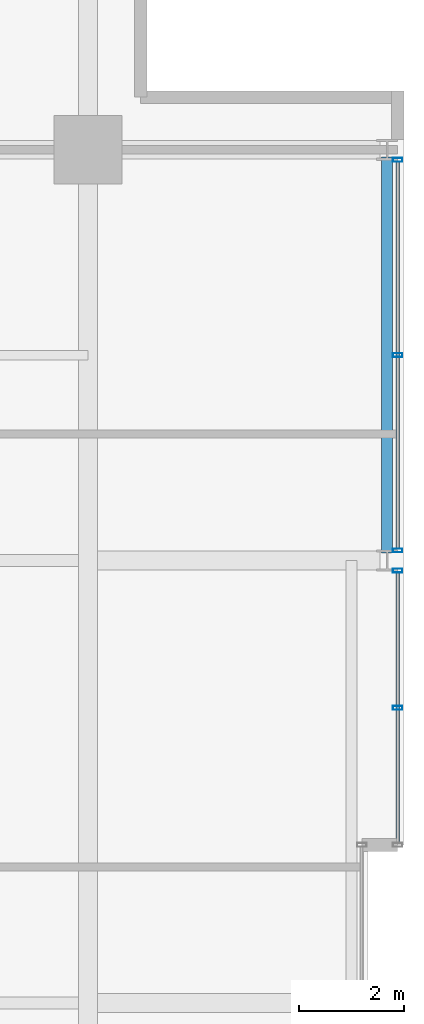
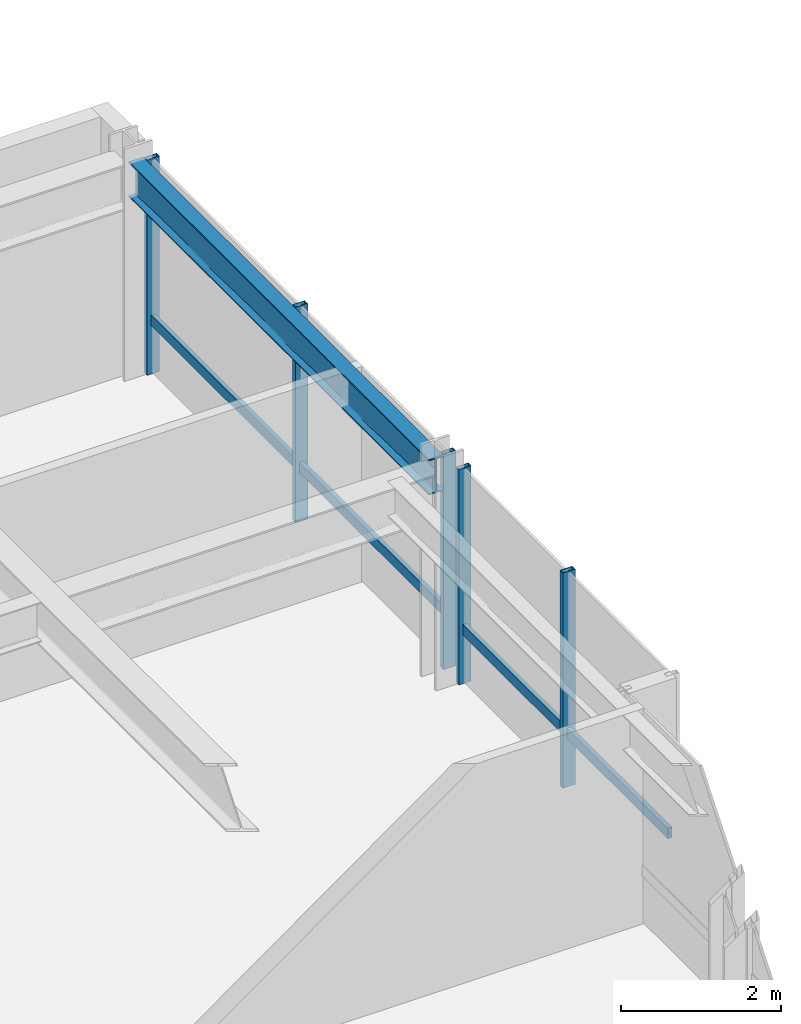
# One storey, part 24 of 33: 7 members, 1 beam, 2 elements without a shape of their own.
"""IFC4 building model written with IfcOpenShell, lengths in metres."""

from ifc_helpers import new_model, si_unit, direction, frame, origin, origin_2d, place, context, subcontext, project, spatial, hollow_rectangle, i_section, extrude, material, layer, layer_set, material_profile, profile_set, type_object, element, aggregate, save


model = new_model("IFC4")

# Units and contexts
model_context = context("Model", 3, precision=1e-05, world=origin(), true_north=direction((0.0, 1.0)))
body_context = subcontext(model_context, "Body", "Model", "MODEL_VIEW")
ifc_project = project(units=[si_unit("LENGTHUNIT", "METRE"), si_unit("AREAUNIT", "SQUARE_METRE"), si_unit("VOLUMEUNIT", "CUBIC_METRE"), si_unit("PLANEANGLEUNIT", "RADIAN"), si_unit("MASSUNIT", "GRAM", prefix="KILO")], contexts=[model_context])

# Site, building, storey
site_placement = place(None, origin())
site = spatial("IfcSite", under=ifc_project, at=site_placement, CompositionType="ELEMENT")
building_placement = place(site_placement, origin())
building = spatial("IfcBuilding", under=site, at=building_placement, Name="Drelvath Grand Hotel", CompositionType="ELEMENT")
storey_placement = place(building_placement, frame((0.0, 0.0, 178.800048828125)))
storey = spatial("IfcBuildingStorey", under=building, at=storey_placement, Name="L46", CompositionType="ELEMENT", Elevation=178.800048828125)

# Curtain wall, member
ifc_material_1 = material(Name="Brushed Pale-Silver Anodised Aluminium Frame", Category="aluminium")
ifc_layer = layer(ifc_material_1, 0.199951171875)
ifc_layer_set = layer_set([ifc_layer], Name="Brushed Pale-Silver Anodised Aluminium Frame")
curtain_wall_type = type_object("IfcCurtainWallType", Name="Stick Curtain Wall CW-04 Brushed Silver Upper-Mid", PredefinedType="NOTDEFINED", material=ifc_layer_set)
curtain_wall_1_placement = place(storey_placement, origin())
curtain_wall_1 = element("IfcCurtainWall", 1, at=curtain_wall_1_placement, inside=storey, type_object=curtain_wall_type, Name="L46 CW-04 Curtain Wall CW04-L46-EN1", PredefinedType="NOTDEFINED")
ifc_material_profile_1 = material_profile(ifc_material_1, hollow_rectangle(XDim=0.06494140625, YDim=0.159912109375, WallThickness=0.00390625, at=origin_2d()), Name="HSS160X65X4")
ifc_profile_set_1 = profile_set([ifc_material_profile_1], Name="Brushed Pale-Silver Anodised Aluminium Frame")
member_type_1 = type_object("IfcMemberType", Name="Curtain Wall Horizontal Transom CW-04 HSS160X65X4", PredefinedType="USERDEFINED", material=ifc_profile_set_1)
member_1_placement = place(storey_placement, frame((22.080078125, 35.16845703125, 0.822509765625), z_axis=(0.0, -1.0, 0.0), x_axis=(1.0, 0.0, 0.0)))
member_1 = element("IfcMember", 2, at=member_1_placement, type_object=member_type_1, Name="CW04-L46-EN1 Sill Transom", ObjectType="TRANSOM", PredefinedType="USERDEFINED", context=body_context, shape_type="SweptSolid", body=[
    extrude(hollow_rectangle(XDim=0.06494140625, YDim=0.159912109375, WallThickness=0.00390625, at=origin_2d()), origin(), (0.0, 0.0, 1.0), 5.12841796875),
])

curtain_wall_2_placement = place(storey_placement, origin())
curtain_wall_2 = element("IfcCurtainWall", 3, at=curtain_wall_2_placement, inside=storey, type_object=curtain_wall_type, Name="L46 CW-04 Curtain Wall CW04-L46-EN2", PredefinedType="NOTDEFINED")
member_2_placement = place(storey_placement, frame((22.080078125, 42.968505859375, 0.822509765625), z_axis=(0.0, -1.0, 0.0), x_axis=(1.0, 0.0, 0.0)))
member_2 = element("IfcMember", 4, at=member_2_placement, type_object=member_type_1, Name="CW04-L46-EN2 Sill Transom", ObjectType="TRANSOM", PredefinedType="USERDEFINED", context=body_context, shape_type="SweptSolid", body=[
    extrude(hollow_rectangle(XDim=0.06494140625, YDim=0.159912109375, WallThickness=0.00390625, at=origin_2d()), origin(), (0.0, 0.0, 1.0), 7.3369140625),
])

# Member
ifc_material_profile_2 = material_profile(ifc_material_1, hollow_rectangle(XDim=0.074951171875, YDim=0.179931640625, WallThickness=0.0048828125, at=origin_2d()), Name="HSS180X75X5")
ifc_profile_set_2 = profile_set([ifc_material_profile_2], Name="Brushed Pale-Silver Anodised Aluminium Frame")
member_type_2 = type_object("IfcMemberType", Name="Curtain Wall Vertical Mullion CW-04 HSS180X75X5", PredefinedType="MULLION", material=ifc_profile_set_2)
member_3_placement = place(storey_placement, frame((22.080078125, 35.20849609375, 0.0), z_axis=(0.0, 0.0, 1.0), x_axis=(0.0, 1.0, 0.0)))
member_3 = element("IfcMember", 5, at=member_3_placement, type_object=member_type_2, Name="CW04-L46-EN1 Mullion 1", PredefinedType="MULLION", context=body_context, shape_type="SweptSolid", body=[
    extrude(hollow_rectangle(XDim=0.074951171875, YDim=0.179931640625, WallThickness=0.0048828125, at=origin_2d()), origin(), (0.0, 0.0, 1.0), 3.2900390625),
])

member_4_placement = place(storey_placement, frame((22.080078125, 32.604248046875, 0.0), z_axis=(0.0, 0.0, 1.0), x_axis=(0.0, 1.0, 0.0)))
member_4 = element("IfcMember", 6, at=member_4_placement, type_object=member_type_2, Name="CW04-L46-EN1 Mullion 2", PredefinedType="MULLION", context=body_context, shape_type="SweptSolid", body=[
    extrude(hollow_rectangle(XDim=0.074951171875, YDim=0.179931640625, WallThickness=0.0048828125, at=origin_2d()), origin(), (0.0, 0.0, 1.0), 3.2900390625),
])

aggregate(curtain_wall_1, [member_3, member_4, member_1])

member_5_placement = place(storey_placement, frame((22.080078125, 43.00830078125, 0.0), z_axis=(0.0, 0.0, 1.0), x_axis=(0.0, 1.0, 0.0)))
member_5 = element("IfcMember", 7, at=member_5_placement, type_object=member_type_2, Name="CW04-L46-EN2 Mullion 1", PredefinedType="MULLION", context=body_context, shape_type="SweptSolid", body=[
    extrude(hollow_rectangle(XDim=0.074951171875, YDim=0.179931640625, WallThickness=0.0048828125, at=origin_2d()), origin(), (0.0, 0.0, 1.0), 3.2900390625),
])

member_6_placement = place(storey_placement, frame((22.080078125, 39.300048828125, 0.0), z_axis=(0.0, 0.0, 1.0), x_axis=(0.0, 1.0, 0.0)))
member_6 = element("IfcMember", 8, at=member_6_placement, type_object=member_type_2, Name="CW04-L46-EN2 Mullion 2", PredefinedType="MULLION", context=body_context, shape_type="SweptSolid", body=[
    extrude(hollow_rectangle(XDim=0.074951171875, YDim=0.179931640625, WallThickness=0.0048828125, at=origin_2d()), origin(), (0.0, 0.0, 1.0), 3.2900390625),
])

member_7_placement = place(storey_placement, frame((22.080078125, 35.591552734375, 0.0), z_axis=(0.0, 0.0, 1.0), x_axis=(0.0, 1.0, 0.0)))
member_7 = element("IfcMember", 9, at=member_7_placement, type_object=member_type_2, Name="CW04-L46-EN2 Mullion 3", PredefinedType="MULLION", context=body_context, shape_type="SweptSolid", body=[
    extrude(hollow_rectangle(XDim=0.074951171875, YDim=0.179931640625, WallThickness=0.0048828125, at=origin_2d()), origin(), (0.0, 0.0, 1.0), 3.2900390625),
])

aggregate(curtain_wall_2, [member_5, member_6, member_7, member_2])

# Beam
ifc_material_2 = material(Name="Steel ASTM A992 Gr 50", Category="steel")
ifc_material_profile_3 = material_profile(ifc_material_2, i_section(OverallWidth=0.210205078125, OverallDepth=0.53662109375, WebThickness=0.010986328125, FlangeThickness=0.017333984375, FilletRadius=0.01806640625, at=origin_2d()), Name="W21X68")
ifc_profile_set_3 = profile_set([ifc_material_profile_3], Name="Steel ASTM A992 Gr 50")
beam_type = type_object("IfcBeamType", Name="Perimeter Spandrel Beam W21X68", PredefinedType="SPANDREL", material=ifc_profile_set_3)
beam_placement = place(storey_placement, frame((21.8798828125, 35.5400390625, 3.021728515625), z_axis=(0.0, 1.0, 0.0), x_axis=(-1.0, 0.0, 0.0)))
element("IfcBeam", 10, at=beam_placement, inside=storey, type_object=beam_type, Name="L46 Spandrel East N", PredefinedType="SPANDREL", context=body_context, shape_type="SweptSolid", body=[
    extrude(i_section(OverallWidth=0.210205078125, OverallDepth=0.53662109375, WebThickness=0.010986328125, FlangeThickness=0.017333984375, FilletRadius=0.01806640625, at=origin_2d()), origin(), (0.0, 0.0, 1.0), 7.52001953125),
])

save(model, "model.ifc")
